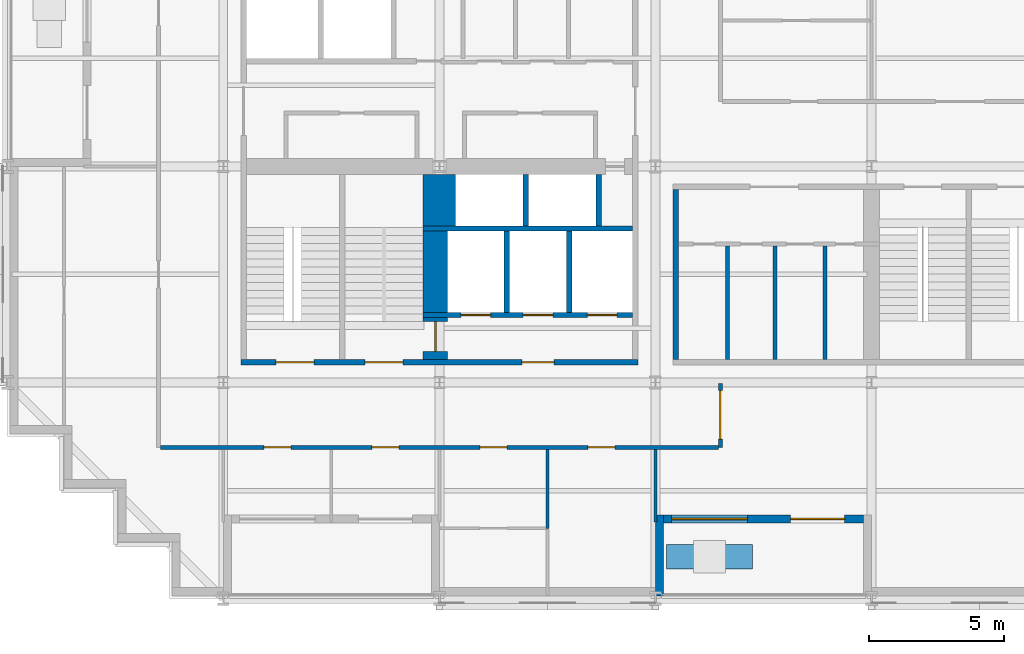
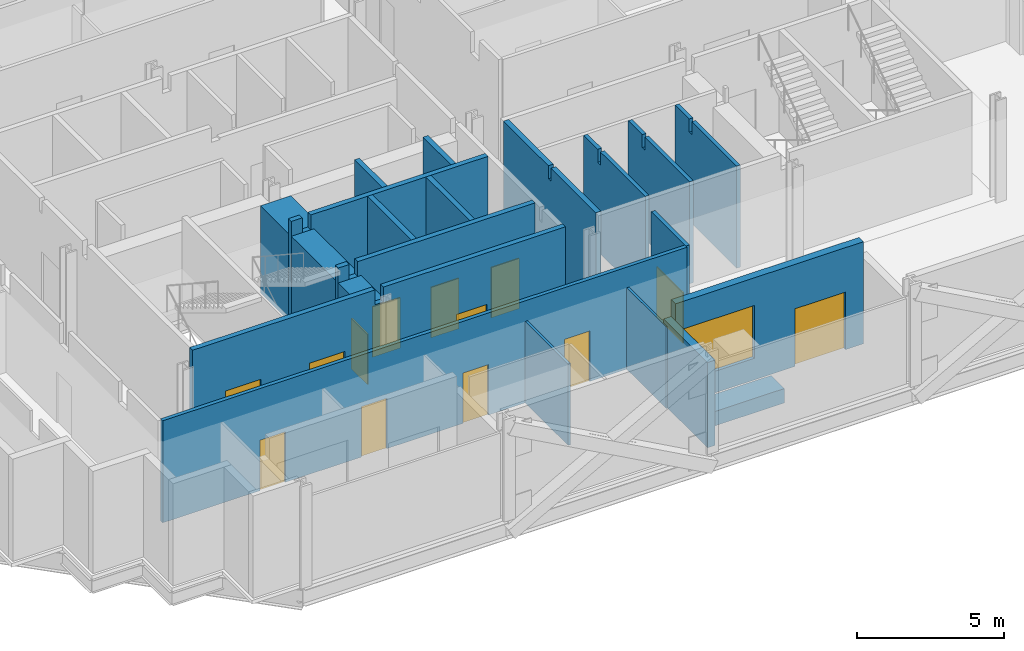
# One storey, part 5 of 14: 21 walls, 13 doors, 1 window, 14 openings.
"""IFC4 building model written with IfcOpenShell, lengths in metres."""

from ifc_helpers import new_model, si_unit, direction, frame, frame_2d, origin, place, context, subcontext, project, spatial, polyline, rectangle, outline, extrude, material, layer, layer_set, type_object, element, fill, save


model = new_model("IFC4")

# Units and contexts
model_context = context("Model", 3, precision=1e-05, world=origin(), true_north=direction((0.0, 1.0)))
body_context = subcontext(model_context, "Body", "Model", "MODEL_VIEW")
ifc_project = project(units=[si_unit("LENGTHUNIT", "METRE"), si_unit("AREAUNIT", "SQUARE_METRE"), si_unit("VOLUMEUNIT", "CUBIC_METRE"), si_unit("PLANEANGLEUNIT", "RADIAN"), si_unit("MASSUNIT", "GRAM", prefix="KILO")], contexts=[model_context])

# Site, building, storey
site_placement = place(None, origin())
site = spatial("IfcSite", under=ifc_project, at=site_placement, CompositionType="ELEMENT")
building_placement = place(site_placement, origin())
building = spatial("IfcBuilding", under=site, at=building_placement, Name="Immortelle Media Tower", CompositionType="ELEMENT")
storey_placement = place(building_placement, frame((0.0, 0.0, 39.199951171875)))
storey = spatial("IfcBuildingStorey", under=building, at=storey_placement, Name="L05", CompositionType="ELEMENT", Elevation=39.199951171875)

# Walls
ifc_material_1 = material(Name="Fire-rated gypsum board", Category="gypsum")
ifc_layer_1 = layer(ifc_material_1, 0.02490234375)
ifc_material_2 = material(Name="Steel ASTM A653 SS Gr 50 stud frame with mineral wool", Category="steel")
ifc_layer_2 = layer(ifc_material_2, 0.10009765625)
ifc_layer_3 = layer(ifc_material_1, 0.02490234375)
ifc_layer_set_1 = layer_set([ifc_layer_1, ifc_layer_2, ifc_layer_3], Name="Steel ASTM A653 SS Gr 50 stud frame with mineral wool")
wall_type_1 = type_object("IfcWallType", Name="Core partition 150", PredefinedType="PARTITIONING", material=ifc_layer_set_1)
for number, where, z_axis, x_axis, name in (
    (1, (26.675048828125, 8.85009765625, 0.0), (0.0, 0.0, 1.0), (0.0, 1.0, 0.0), "Core partition SE"),
    (2, (28.425048828125, 8.85009765625, 0.0), (0.0, 0.0, 1.0), (0.0, 1.0, 0.0), "Core partition SE"),
    (3, (30.27490234375, 8.85009765625, 0.0), (0.0, 0.0, 1.0), (0.0, 1.0, 0.0), "Core partition SE"),
):
    element("IfcWall", number, at=place(storey_placement, frame(where, z_axis=z_axis, x_axis=x_axis)), inside=storey, type_object=wall_type_1, Name=name, PredefinedType="PARTITIONING", context=body_context, shape_type="SweptSolid", body=[
        extrude(outline(polyline([(0.0, 0.0), (4.199951171875, 0.0), (4.199951171875, 4.25), (3.238525390625, 4.25), (3.237548828125, 3.7080078125), (3.0625, 3.7080078125), (3.0615234375, 4.25), (0.0, 4.25), (0.0, 0.0)])), frame((0.0, 0.074951171875, 0.0), z_axis=(0.0, -1.0, 0.0), x_axis=(1.0, 0.0, 0.0)), (0.0, 0.0, 1.0), 0.14990234375),
    ])

# Wall, openings, doors
ifc_layer_4 = layer(ifc_material_1, 0.03759765625)
ifc_layer_5 = layer(ifc_material_2, 0.125)
ifc_layer_6 = layer(ifc_material_1, 0.03759765625)
ifc_layer_set_2 = layer_set([ifc_layer_4, ifc_layer_5, ifc_layer_6], Name="Steel ASTM A653 SS Gr 50 stud frame with mineral wool")
wall_type_2 = type_object("IfcWallType", Name="Core shaft wall 200", PredefinedType="PARTITIONING", material=ifc_layer_set_2)
wall_1_placement = place(storey_placement, frame((15.39990234375, 10.5, 0.0), z_axis=(0.0, 0.0, 1.0), x_axis=(1.0, 0.0, 0.0)))
wall_1 = element("IfcWall", 4, at=wall_1_placement, inside=storey, type_object=wall_type_2, Name="Core shaft wall SW", PredefinedType="PARTITIONING", context=body_context, shape_type="SweptSolid", body=[
    extrude(outline(polyline([(0.0, 0.0), (7.75, 0.0), (7.75, 4.25), (0.76708984375, 4.25), (0.76611328125, 3.632080078125), (0.43408203125, 3.632080078125), (0.43310546875, 4.25), (0.0, 4.25), (0.0, 0.0)])), frame((0.0, 0.10009765625, 0.0), z_axis=(0.0, -1.0, 0.0), x_axis=(1.0, 0.0, 0.0)), (0.0, 0.0, 1.0), 0.199951171875),
])
opening_1_placement = place(wall_1_placement, frame((1.39990234375, 0.0, 0.0)))
opening_1 = element("IfcOpeningElement", 5, at=opening_1_placement, cuts=wall_1, Name="Opening LD", PredefinedType="OPENING", context=body_context, shape_type="SweptSolid", body=[
    extrude(rectangle(XDim=1.10009765625, YDim=2.10009765625, at=frame_2d((0.550048828125, 1.050048828125))), frame((0.0, 0.10986328125, 0.0), z_axis=(0.0, -1.0, 0.0), x_axis=(1.0, 0.0, 0.0)), (0.0, 0.0, 1.0), 0.219970703125),
])
opening_2_placement = place(wall_1_placement, frame((3.699951171875, 0.0, 0.0)))
opening_2 = element("IfcOpeningElement", 6, at=opening_2_placement, cuts=wall_1, Name="Opening LD", PredefinedType="OPENING", context=body_context, shape_type="SweptSolid", body=[
    extrude(rectangle(XDim=1.10009765625, YDim=2.10009765625, at=frame_2d((0.550048828125, 1.050048828125))), frame((0.0, 0.10986328125, 0.0), z_axis=(0.0, -1.0, 0.0), x_axis=(1.0, 0.0, 0.0)), (0.0, 0.0, 1.0), 0.219970703125),
])
opening_3_placement = place(wall_1_placement, frame((6.074951171875, 0.0, 0.0)))
opening_3 = element("IfcOpeningElement", 7, at=opening_3_placement, cuts=wall_1, Name="Opening LD", PredefinedType="OPENING", context=body_context, shape_type="SweptSolid", body=[
    extrude(rectangle(XDim=1.10009765625, YDim=2.10009765625, at=frame_2d((0.550048828125, 1.050048828125))), frame((0.0, 0.10986328125, 0.0), z_axis=(0.0, -1.0, 0.0), x_axis=(1.0, 0.0, 0.0)), (0.0, 0.0, 1.0), 0.219970703125),
])
ifc_material_3 = material(Name="Stainless steel AISI 304", Category="steel")
door_type_1 = type_object("IfcDoorType", Name="Landing door 1100 x 2100", OperationType="SLIDING_TO_LEFT", PredefinedType="NOTDEFINED", material=ifc_material_3)
door_1_placement = place(opening_1_placement, origin())
door_1 = element("IfcDoor", 8, at=door_1_placement, inside=storey, type_object=door_type_1, Name="Landing door FF1 L05", OperationType="SLIDING_TO_LEFT", OverallHeight=2.10009765625, OverallWidth=1.10009765625, PredefinedType="NOTDEFINED", context=body_context, shape_type="SweptSolid", body=[
    extrude(rectangle(XDim=1.10009765625, YDim=2.10009765625, at=frame_2d((0.550048828125, 1.050048828125))), frame((0.0, 0.02490234375, 0.0), z_axis=(0.0, -1.0, 0.0), x_axis=(1.0, 0.0, 0.0)), (0.0, 0.0, 1.0), 0.050048828125),
])
fill(opening_1, door_1)
door_2_placement = place(opening_2_placement, origin())
door_2 = element("IfcDoor", 9, at=door_2_placement, inside=storey, type_object=door_type_1, Name="Landing door FF2 L05", OperationType="SLIDING_TO_LEFT", OverallHeight=2.10009765625, OverallWidth=1.10009765625, PredefinedType="NOTDEFINED", context=body_context, shape_type="SweptSolid", body=[
    extrude(rectangle(XDim=1.10009765625, YDim=2.10009765625, at=frame_2d((0.550048828125, 1.050048828125))), frame((0.0, 0.02490234375, 0.0), z_axis=(0.0, -1.0, 0.0), x_axis=(1.0, 0.0, 0.0)), (0.0, 0.0, 1.0), 0.050048828125),
])
fill(opening_2, door_2)
door_3_placement = place(opening_3_placement, origin())
door_3 = element("IfcDoor", 10, at=door_3_placement, inside=storey, type_object=door_type_1, Name="Landing door FF3 L05", OperationType="SLIDING_TO_LEFT", OverallHeight=2.10009765625, OverallWidth=1.10009765625, PredefinedType="NOTDEFINED", context=body_context, shape_type="SweptSolid", body=[
    extrude(rectangle(XDim=1.10009765625, YDim=2.10009765625, at=frame_2d((0.550048828125, 1.050048828125))), frame((0.0, 0.02490234375, 0.0), z_axis=(0.0, -1.0, 0.0), x_axis=(1.0, 0.0, 0.0)), (0.0, 0.0, 1.0), 0.050048828125),
])
fill(opening_3, door_3)

# Walls
wall_2_placement = place(storey_placement, frame((15.39990234375, 13.699951171875, 0.0), z_axis=(0.0, 0.0, 1.0), x_axis=(1.0, 0.0, 0.0)))
element("IfcWall", 11, at=wall_2_placement, inside=storey, type_object=wall_type_2, Name="Core shaft wall SW", PredefinedType="PARTITIONING", context=body_context, shape_type="SweptSolid", body=[
    extrude(outline(polyline([(0.0, 0.0), (7.75, 0.0), (7.75, 4.25), (0.76708984375, 4.25), (0.76611328125, 3.632080078125), (0.43408203125, 3.632080078125), (0.43310546875, 4.25), (0.0, 4.25), (0.0, 0.0)])), frame((0.0, 0.10009765625, 0.0), z_axis=(0.0, -1.0, 0.0), x_axis=(1.0, 0.0, 0.0)), (0.0, 0.0, 1.0), 0.199951171875),
])
wall_3_placement = place(storey_placement, frame((18.5, 10.60009765625, 0.0), z_axis=(0.0, 0.0, 1.0), x_axis=(0.0, 1.0, 0.0)))
element("IfcWall", 12, at=wall_3_placement, inside=storey, type_object=wall_type_2, Name="Core shaft wall SW", PredefinedType="PARTITIONING", context=body_context, shape_type="SweptSolid", body=[
    extrude(rectangle(XDim=3.0, YDim=0.199951171875, at=frame_2d((1.5, 0.0))), origin(), (0.0, 0.0, 1.0), 4.25),
])
wall_4_placement = place(storey_placement, frame((19.199951171875, 13.800048828125, 0.0), z_axis=(0.0, 0.0, 1.0), x_axis=(0.0, 1.0, 0.0)))
element("IfcWall", 13, at=wall_4_placement, inside=storey, type_object=wall_type_2, Name="Core shaft wall SW", PredefinedType="PARTITIONING", context=body_context, shape_type="SweptSolid", body=[
    extrude(rectangle(XDim=1.89990234375, YDim=0.199951171875, at=frame_2d((0.949951171875, 0.0))), origin(), (0.0, 0.0, 1.0), 4.25),
])
wall_5_placement = place(storey_placement, frame((20.800048828125, 10.60009765625, 0.0), z_axis=(0.0, 0.0, 1.0), x_axis=(0.0, 1.0, 0.0)))
element("IfcWall", 14, at=wall_5_placement, inside=storey, type_object=wall_type_2, Name="Core shaft wall SW", PredefinedType="PARTITIONING", context=body_context, shape_type="SweptSolid", body=[
    extrude(rectangle(XDim=3.0, YDim=0.199951171875, at=frame_2d((1.5, 0.0))), origin(), (0.0, 0.0, 1.0), 4.25),
])
wall_6_placement = place(storey_placement, frame((21.89990234375, 13.800048828125, 0.0), z_axis=(0.0, 0.0, 1.0), x_axis=(0.0, 1.0, 0.0)))
element("IfcWall", 15, at=wall_6_placement, inside=storey, type_object=wall_type_2, Name="Core shaft wall SW", PredefinedType="PARTITIONING", context=body_context, shape_type="SweptSolid", body=[
    extrude(rectangle(XDim=1.89990234375, YDim=0.199951171875, at=frame_2d((0.949951171875, 0.0))), origin(), (0.0, 0.0, 1.0), 4.25),
])
wall_7_placement = place(storey_placement, frame((24.75, 8.85009765625, 0.0), z_axis=(0.0, 0.0, 1.0), x_axis=(0.0, 1.0, 0.0)))
element("IfcWall", 16, at=wall_7_placement, inside=storey, type_object=wall_type_2, Name="Core shaft wall SE", PredefinedType="PARTITIONING", context=body_context, shape_type="SweptSolid", body=[
    extrude(outline(polyline([(0.0, 0.0), (6.2998046875, 0.0), (6.300048828125, 4.25), (3.238525390625, 4.25), (3.237548828125, 3.7080078125), (3.0625, 3.7080078125), (3.0615234375, 4.25), (0.0, 4.25), (0.0, 0.0)])), frame((0.0, 0.10009765625, 0.0), z_axis=(0.0, -1.0, 0.0), x_axis=(1.0, 0.0, 0.0)), (0.0, 0.0, 1.0), 0.199951171875),
])

# Wall, openings, doors
ifc_layer_7 = layer(ifc_material_1, 0.012451171875)
ifc_layer_8 = layer(ifc_material_2, 0.125)
ifc_layer_9 = layer(ifc_material_1, 0.012451171875)
ifc_layer_set_3 = layer_set([ifc_layer_7, ifc_layer_8, ifc_layer_9], Name="Steel ASTM A653 SS Gr 50 stud frame with mineral wool")
wall_type_3 = type_object("IfcWallType", Name="Corridor wall 150", PredefinedType="PARTITIONING", material=ifc_layer_set_3)
wall_8_placement = place(storey_placement, frame((5.675048828125, 5.60009765625, 0.0), z_axis=(0.0, 0.0, 1.0), x_axis=(1.0, 0.0, 0.0)))
wall_8 = element("IfcWall", 17, at=wall_8_placement, inside=storey, type_object=wall_type_3, Name="Partition L05-008", PredefinedType="PARTITIONING", context=body_context, shape_type="SweptSolid", body=[
    extrude(rectangle(XDim=20.64990234375, YDim=0.14990234375, at=frame_2d((10.324951171875, 0.0))), origin(), (0.0, 0.0, 1.0), 4.25),
])
opening_4_placement = place(wall_8_placement, frame((12.824951171875, 0.0, 0.0), z_axis=(0.0, 0.0, 1.0), x_axis=(-1.0, 0.0, 0.0)))
opening_4 = element("IfcOpeningElement", 18, at=opening_4_placement, cuts=wall_8, Name="Opening N1-F001", PredefinedType="OPENING", context=body_context, shape_type="SweptSolid", body=[
    extrude(rectangle(XDim=1.0, YDim=2.10009765625, at=frame_2d((0.5, 1.050048828125))), frame((0.0, 0.0849609375, 0.0), z_axis=(0.0, -1.0, 0.0), x_axis=(1.0, 0.0, 0.0)), (0.0, 0.0, 1.0), 0.169921875),
])
opening_5_placement = place(wall_8_placement, frame((16.824951171875, 0.0, 0.0), z_axis=(0.0, 0.0, 1.0), x_axis=(-1.0, 0.0, 0.0)))
opening_5 = element("IfcOpeningElement", 19, at=opening_5_placement, cuts=wall_8, Name="Opening N1-F003", PredefinedType="OPENING", context=body_context, shape_type="SweptSolid", body=[
    extrude(rectangle(XDim=1.0, YDim=2.10009765625, at=frame_2d((0.5, 1.050048828125))), frame((0.0, 0.0849609375, 0.0), z_axis=(0.0, -1.0, 0.0), x_axis=(1.0, 0.0, 0.0)), (0.0, 0.0, 1.0), 0.169921875),
])
opening_6_placement = place(wall_8_placement, frame((4.824951171875, 0.0, 0.0), z_axis=(0.0, 0.0, 1.0), x_axis=(-1.0, 0.0, 0.0)))
opening_6 = element("IfcOpeningElement", 20, at=opening_6_placement, cuts=wall_8, Name="Opening N1-F004", PredefinedType="OPENING", context=body_context, shape_type="SweptSolid", body=[
    extrude(rectangle(XDim=1.0, YDim=2.10009765625, at=frame_2d((0.5, 1.050048828125))), frame((0.0, 0.0849609375, 0.0), z_axis=(0.0, -1.0, 0.0), x_axis=(1.0, 0.0, 0.0)), (0.0, 0.0, 1.0), 0.169921875),
])
opening_7_placement = place(wall_8_placement, frame((8.824951171875, 0.0, 0.0), z_axis=(0.0, 0.0, 1.0), x_axis=(-1.0, 0.0, 0.0)))
opening_7 = element("IfcOpeningElement", 21, at=opening_7_placement, cuts=wall_8, Name="Opening N1-F005", PredefinedType="OPENING", context=body_context, shape_type="SweptSolid", body=[
    extrude(rectangle(XDim=1.0, YDim=2.10009765625, at=frame_2d((0.5, 1.050048828125))), frame((0.0, 0.0849609375, 0.0), z_axis=(0.0, -1.0, 0.0), x_axis=(1.0, 0.0, 0.0)), (0.0, 0.0, 1.0), 0.169921875),
])
ifc_material_4 = material(Name="Timber veneered door leaf, galvanised steel frame ASTM A653", Category="steel")
door_type_2 = type_object("IfcDoorType", Name="Room door 1000 x 2100", OperationType="NOTDEFINED", PredefinedType="DOOR", material=ifc_material_4)
door_4_placement = place(opening_4_placement, origin())
door_4 = element("IfcDoor", 22, at=door_4_placement, inside=storey, type_object=door_type_2, Name="Door N1-F001", OperationType="SINGLE_SWING_LEFT", OverallHeight=2.10009765625, OverallWidth=1.0, PredefinedType="DOOR", context=body_context, shape_type="SweptSolid", body=[
    extrude(rectangle(XDim=1.0, YDim=2.10009765625, at=frame_2d((0.5, 1.050048828125))), frame((0.0, 0.02490234375, 0.0), z_axis=(0.0, -1.0, 0.0), x_axis=(1.0, 0.0, 0.0)), (0.0, 0.0, 1.0), 0.050048828125),
])
fill(opening_4, door_4)
door_5_placement = place(opening_5_placement, origin())
door_5 = element("IfcDoor", 23, at=door_5_placement, inside=storey, type_object=door_type_2, Name="Door N1-F003", OperationType="SINGLE_SWING_RIGHT", OverallHeight=2.10009765625, OverallWidth=1.0, PredefinedType="DOOR", context=body_context, shape_type="SweptSolid", body=[
    extrude(rectangle(XDim=1.0, YDim=2.10009765625, at=frame_2d((0.5, 1.050048828125))), frame((0.0, 0.02490234375, 0.0), z_axis=(0.0, -1.0, 0.0), x_axis=(1.0, 0.0, 0.0)), (0.0, 0.0, 1.0), 0.050048828125),
])
fill(opening_5, door_5)
door_6_placement = place(opening_6_placement, origin())
door_6 = element("IfcDoor", 24, at=door_6_placement, inside=storey, type_object=door_type_2, Name="Door N1-F004", OperationType="SINGLE_SWING_RIGHT", OverallHeight=2.10009765625, OverallWidth=1.0, PredefinedType="DOOR", context=body_context, shape_type="SweptSolid", body=[
    extrude(rectangle(XDim=1.0, YDim=2.10009765625, at=frame_2d((0.5, 1.050048828125))), frame((0.0, 0.02490234375, 0.0), z_axis=(0.0, -1.0, 0.0), x_axis=(1.0, 0.0, 0.0)), (0.0, 0.0, 1.0), 0.050048828125),
])
fill(opening_6, door_6)
door_7_placement = place(opening_7_placement, origin())
door_7 = element("IfcDoor", 25, at=door_7_placement, inside=storey, type_object=door_type_2, Name="Door N1-F005", OperationType="SINGLE_SWING_RIGHT", OverallHeight=2.10009765625, OverallWidth=1.0, PredefinedType="DOOR", context=body_context, shape_type="SweptSolid", body=[
    extrude(rectangle(XDim=1.0, YDim=2.10009765625, at=frame_2d((0.5, 1.050048828125))), frame((0.0, 0.02490234375, 0.0), z_axis=(0.0, -1.0, 0.0), x_axis=(1.0, 0.0, 0.0)), (0.0, 0.0, 1.0), 0.050048828125),
])
fill(opening_7, door_7)

# Wall, opening, door
wall_9_placement = place(storey_placement, frame((26.39990234375, 5.60009765625, 0.0), z_axis=(0.0, 0.0, 1.0), x_axis=(0.0, 1.0, 0.0)))
wall_9 = element("IfcWall", 26, at=wall_9_placement, inside=storey, type_object=wall_type_3, Name="Partition L05-010", PredefinedType="PARTITIONING", context=body_context, shape_type="SweptSolid", body=[
    extrude(rectangle(XDim=2.369873046875, YDim=0.14990234375, at=frame_2d((1.18505859375, 0.0))), origin(), (0.0, 0.0, 1.0), 4.25),
])
opening_8_placement = place(wall_9_placement, frame((0.300048828125, 0.0, 0.0)))
opening_8 = element("IfcOpeningElement", 27, at=opening_8_placement, cuts=wall_9, Name="Opening N1-F006", PredefinedType="OPENING", context=body_context, shape_type="SweptSolid", body=[
    extrude(rectangle(XDim=1.800048828125, YDim=2.10009765625, at=frame_2d((0.89990234375, 1.050048828125))), frame((0.0, 0.0849609375, 0.0), z_axis=(0.0, -1.0, 0.0), x_axis=(1.0, 0.0, 0.0)), (0.0, 0.0, 1.0), 0.169921875),
])
door_type_3 = type_object("IfcDoorType", Name="Room door 1800 x 2100", OperationType="DOUBLE_DOOR_SINGLE_SWING", PredefinedType="DOOR", material=ifc_material_4)
door_8_placement = place(opening_8_placement, origin())
door_8 = element("IfcDoor", 28, at=door_8_placement, inside=storey, type_object=door_type_3, Name="Door N1-F006", OperationType="DOUBLE_DOOR_SINGLE_SWING", OverallHeight=2.10009765625, OverallWidth=1.800048828125, PredefinedType="DOOR", context=body_context, shape_type="SweptSolid", body=[
    extrude(rectangle(XDim=1.800048828125, YDim=2.10009765625, at=frame_2d((0.89990234375, 1.050048828125))), frame((0.0, 0.02490234375, 0.0), z_axis=(0.0, -1.0, 0.0), x_axis=(1.0, 0.0, 0.0)), (0.0, 0.0, 1.0), 0.050048828125),
])
fill(opening_8, door_8)

# Wall, openings, door, window
ifc_material_5 = material(Name="Pale aluminium cladding panel", Category="aluminium")
ifc_layer_10 = layer(ifc_material_5, 0.030029296875)
ifc_layer_11 = layer(ifc_material_2, 0.257568359375)
ifc_material_6 = material(Name="Moisture-resistant gypsum board", Category="gypsum")
ifc_layer_12 = layer(ifc_material_6, 0.012451171875)
ifc_layer_set_4 = layer_set([ifc_layer_10, ifc_layer_11, ifc_layer_12], Name="Steel ASTM A653 SS Gr 50 stud frame with mineral wool")
wall_type_4 = type_object("IfcWallType", Name="Facade wall 300", PredefinedType="SOLIDWALL", material=ifc_layer_set_4)
wall_10_placement = place(storey_placement, frame((24.300048828125, 2.949951171875, 0.0), z_axis=(0.0, 0.0, 1.0), x_axis=(1.0, 0.0, 0.0)))
wall_10 = element("IfcWall", 29, at=wall_10_placement, inside=storey, type_object=wall_type_4, Name="Loggia wall L05 S7", PredefinedType="SOLIDWALL", context=body_context, shape_type="SweptSolid", body=[
    extrude(rectangle(XDim=7.39990234375, YDim=0.300048828125, at=frame_2d((3.699951171875, 0.0))), origin(), (0.0, 0.0, 1.0), 4.25),
])
opening_9_placement = place(wall_10_placement, frame((0.300048828125, 0.0, 0.89990234375)))
opening_9 = element("IfcOpeningElement", 30, at=opening_9_placement, cuts=wall_10, Name="Opening W1", PredefinedType="OPENING", context=body_context, shape_type="SweptSolid", body=[
    extrude(rectangle(XDim=2.800048828125, YDim=2.199951171875, at=frame_2d((1.39990234375, 1.10009765625))), frame((0.0, 0.159912109375, 0.0), z_axis=(0.0, -1.0, 0.0), x_axis=(1.0, 0.0, 0.0)), (0.0, 0.0, 1.0), 0.320068359375),
])
opening_10_placement = place(wall_10_placement, frame((4.699951171875, 0.0, 0.0)))
opening_10 = element("IfcOpeningElement", 31, at=opening_10_placement, cuts=wall_10, Name="Opening N1-E004", PredefinedType="OPENING", context=body_context, shape_type="SweptSolid", body=[
    extrude(rectangle(XDim=2.0, YDim=2.39990234375, at=frame_2d((1.0, 1.199951171875))), frame((0.0, 0.159912109375, 0.0), z_axis=(0.0, -1.0, 0.0), x_axis=(1.0, 0.0, 0.0)), (0.0, 0.0, 1.0), 0.320068359375),
])
ifc_material_7 = material(Name="Aluminium frame, glazed leaves", Category="aluminium")
door_type_4 = type_object("IfcDoorType", Name="Loggia door 2000 x 2400", OperationType="DOUBLE_DOOR_SINGLE_SWING", PredefinedType="DOOR", material=ifc_material_7)
door_9_placement = place(opening_10_placement, origin())
door_9 = element("IfcDoor", 32, at=door_9_placement, inside=storey, type_object=door_type_4, Name="Door N1-E004", OperationType="DOUBLE_DOOR_SINGLE_SWING", OverallHeight=2.39990234375, OverallWidth=2.0, PredefinedType="DOOR", context=body_context, shape_type="SweptSolid", body=[
    extrude(rectangle(XDim=2.0, YDim=2.39990234375, at=frame_2d((1.0, 1.199951171875))), frame((0.0, 0.02490234375, 0.0), z_axis=(0.0, -1.0, 0.0), x_axis=(1.0, 0.0, 0.0)), (0.0, 0.0, 1.0), 0.050048828125),
])
fill(opening_10, door_9)
ifc_material_8 = material(Name="Aluminium frame", Category="aluminium")
window_type = type_object("IfcWindowType", Name="Window 2800 x 2200", PartitioningType="SINGLE_PANEL", PredefinedType="WINDOW", material=ifc_material_8)
window_placement = place(opening_9_placement, origin())
window = element("IfcWindow", 33, at=window_placement, inside=storey, type_object=window_type, Name="Window L05 L05-R7-B2", OverallHeight=2.199951171875, OverallWidth=2.800048828125, PartitioningType="SINGLE_PANEL", PredefinedType="WINDOW", context=body_context, shape_type="SweptSolid", body=[
    extrude(rectangle(XDim=2.800048828125, YDim=2.199951171875, at=frame_2d((1.39990234375, 1.10009765625))), frame((0.0, 0.030029296875, 0.0), z_axis=(0.0, -1.0, 0.0), x_axis=(1.0, 0.0, 0.0)), (0.0, 0.0, 1.0), 0.06005859375),
])
fill(opening_9, window)

# Walls
wall_11_placement = place(storey_placement, frame((24.14990234375, 0.10009765625, 0.0), z_axis=(0.0, 0.0, 1.0), x_axis=(0.0, 1.0, 0.0)))
element("IfcWall", 34, at=wall_11_placement, inside=storey, type_object=wall_type_4, Name="Loggia cheek wall L05 S", PredefinedType="SOLIDWALL", context=body_context, shape_type="SweptSolid", body=[
    extrude(rectangle(XDim=3.0, YDim=0.300048828125, at=frame_2d((1.5, 0.0))), origin(), (0.0, 0.0, 1.0), 3.552978515625),
])
ifc_material_9 = material(Name="Gypsum board", Category="gypsum")
ifc_layer_13 = layer(ifc_material_9, 0.012451171875)
ifc_layer_14 = layer(ifc_material_2, 0.074951171875)
ifc_layer_15 = layer(ifc_material_9, 0.012451171875)
ifc_layer_set_5 = layer_set([ifc_layer_13, ifc_layer_14, ifc_layer_15], Name="Steel ASTM A653 SS Gr 50 stud frame with mineral wool")
wall_type_5 = type_object("IfcWallType", Name="Partition 100", PredefinedType="PARTITIONING", material=ifc_layer_set_5)
wall_12_placement = place(storey_placement, frame((20.0, 2.60009765625, 0.0), z_axis=(0.0, 0.0, 1.0), x_axis=(0.0, 1.0, 0.0)))
element("IfcWall", 35, at=wall_12_placement, inside=storey, type_object=wall_type_5, Name="Partition L05-003", PredefinedType="PARTITIONING", context=body_context, shape_type="SweptSolid", body=[
    extrude(rectangle(XDim=2.9248046875, YDim=0.10009765625, at=frame_2d((1.46240234375, 0.0))), origin(), (0.0, 0.0, 1.0), 3.39111328125),
])
wall_13_placement = place(storey_placement, frame((24.0, 2.830078125, 0.0), z_axis=(0.0, 0.0, 1.0), x_axis=(0.0, 1.0, 0.0)))
element("IfcWall", 36, at=wall_13_placement, inside=storey, type_object=wall_type_5, Name="Partition L05-007", PredefinedType="PARTITIONING", context=body_context, shape_type="SweptSolid", body=[
    extrude(rectangle(XDim=2.69482421875, YDim=0.10009765625, at=frame_2d((1.347412109375, 0.0))), origin(), (0.0, 0.0, 1.0), 3.39111328125),
])
ifc_layer_16 = layer(ifc_material_5, 0.0029296875)
ifc_material_10 = material(Name="Steel ASTM A572 Gr 50 planter shell", Category="steel")
ifc_layer_17 = layer(ifc_material_10, 0.011962890625)
ifc_material_11 = material(Name="Planting substrate", Category="soil")
ifc_layer_18 = layer(ifc_material_11, 0.873046875)
ifc_layer_19 = layer(ifc_material_10, 0.011962890625)
ifc_layer_set_6 = layer_set([ifc_layer_16, ifc_layer_17, ifc_layer_18, ifc_layer_19], Name="Steel ASTM A572 Gr 50 planter shell")
wall_type_6 = type_object("IfcWallType", Name="Planter wall 900", PredefinedType="SOLIDWALL", material=ifc_layer_set_6)
wall_14_placement = place(storey_placement, frame((24.39990234375, 1.550048828125, 0.0), z_axis=(0.0, 0.0, 1.0), x_axis=(1.0, 0.0, 0.0)))
element("IfcWall", 37, at=wall_14_placement, inside=storey, type_object=wall_type_6, Name="Planter L05 S2", PredefinedType="SOLIDWALL", context=body_context, shape_type="SweptSolid", body=[
    extrude(rectangle(XDim=3.2001953125, YDim=0.89990234375, at=frame_2d((1.60009765625, 0.0))), origin(), (0.0, 0.0, 1.0), 0.60009765625),
])
ifc_material_12 = material(Name="Concrete C60", Category="concrete")
ifc_layer_20 = layer(ifc_material_12, 1.199951171875)
ifc_layer_set_7 = layer_set([ifc_layer_20], Name="Concrete C60")
wall_type_7 = type_object("IfcWallType", Name="Stair shaft wall 1200", PredefinedType="PARTITIONING", material=ifc_layer_set_7)
wall_15_placement = place(storey_placement, frame((16.0, 13.800048828125, 0.0), z_axis=(0.0, 0.0, 1.0), x_axis=(0.0, 1.0, 0.0)))
element("IfcWall", 38, at=wall_15_placement, inside=storey, type_object=wall_type_7, Name="Stair shaft wall SW", PredefinedType="PARTITIONING", context=body_context, shape_type="SweptSolid", body=[
    extrude(rectangle(XDim=1.89990234375, YDim=1.199951171875, at=frame_2d((0.949951171875, 0.0))), origin(), (0.0, 0.0, 1.0), 3.632080078125),
])

# Wall, openings, doors
ifc_layer_21 = layer(ifc_material_12, 0.199951171875)
ifc_layer_set_8 = layer_set([ifc_layer_21], Name="Concrete C60")
wall_type_8 = type_object("IfcWallType", Name="Stair shaft wall 200", PredefinedType="PARTITIONING", material=ifc_layer_set_8)
wall_16_placement = place(storey_placement, frame((8.64990234375, 8.75, 0.0), z_axis=(0.0, 0.0, 1.0), x_axis=(1.0, 0.0, 0.0)))
wall_16 = element("IfcWall", 39, at=wall_16_placement, inside=storey, type_object=wall_type_8, Name="Stair shaft wall SW", PredefinedType="PARTITIONING", context=body_context, shape_type="SweptSolid", body=[
    extrude(outline(polyline([(0.0, 0.0), (14.7001953125, 0.0), (14.699951171875, 4.25), (7.51708984375, 4.25), (7.51611328125, 3.632080078125), (7.18408203125, 3.632080078125), (7.18310546875, 4.25), (0.0, 4.25), (0.0, 0.0)])), frame((0.0, 0.10009765625, 0.0), z_axis=(0.0, -1.0, 0.0), x_axis=(1.0, 0.0, 0.0)), (0.0, 0.0, 1.0), 0.199951171875),
])
opening_11_placement = place(wall_16_placement, frame((1.300048828125, 0.0, 0.0)))
opening_11 = element("IfcOpeningElement", 40, at=opening_11_placement, cuts=wall_16, Name="Opening N1-K002", PredefinedType="OPENING", context=body_context, shape_type="SweptSolid", body=[
    extrude(rectangle(XDim=1.39990234375, YDim=2.10009765625, at=frame_2d((0.699951171875, 1.050048828125))), frame((0.0, 0.10986328125, 0.0), z_axis=(0.0, -1.0, 0.0), x_axis=(1.0, 0.0, 0.0)), (0.0, 0.0, 1.0), 0.219970703125),
])
opening_12_placement = place(wall_16_placement, frame((4.60009765625, 0.0, 0.0)))
opening_12 = element("IfcOpeningElement", 41, at=opening_12_placement, cuts=wall_16, Name="Opening N1-K004", PredefinedType="OPENING", context=body_context, shape_type="SweptSolid", body=[
    extrude(rectangle(XDim=1.39990234375, YDim=2.10009765625, at=frame_2d((0.699951171875, 1.050048828125))), frame((0.0, 0.10986328125, 0.0), z_axis=(0.0, -1.0, 0.0), x_axis=(1.0, 0.0, 0.0)), (0.0, 0.0, 1.0), 0.219970703125),
])
opening_13_placement = place(wall_16_placement, frame((10.39990234375, 0.0, 0.0)))
opening_13 = element("IfcOpeningElement", 42, at=opening_13_placement, cuts=wall_16, Name="Opening N1-K009", PredefinedType="OPENING", context=body_context, shape_type="SweptSolid", body=[
    extrude(rectangle(XDim=1.199951171875, YDim=2.10009765625, at=frame_2d((0.60009765625, 1.050048828125))), frame((0.0, 0.10986328125, 0.0), z_axis=(0.0, -1.0, 0.0), x_axis=(1.0, 0.0, 0.0)), (0.0, 0.0, 1.0), 0.219970703125),
])
ifc_material_13 = material(Name="Galvanised steel door leaf and frame ASTM A653", Category="steel")
door_type_5 = type_object("IfcDoorType", Name="Fire-fighting lobby door 1200 x 2100", OperationType="NOTDEFINED", PredefinedType="NOTDEFINED", material=ifc_material_13)
door_10_placement = place(opening_13_placement, origin())
door_10 = element("IfcDoor", 43, at=door_10_placement, inside=storey, type_object=door_type_5, Name="Fire-fighting lobby N1-K009", OperationType="SINGLE_SWING_RIGHT", OverallHeight=2.10009765625, OverallWidth=1.199951171875, PredefinedType="NOTDEFINED", context=body_context, shape_type="SweptSolid", body=[
    extrude(rectangle(XDim=1.199951171875, YDim=2.10009765625, at=frame_2d((0.60009765625, 1.050048828125))), frame((0.0, 0.02490234375, 0.0), z_axis=(0.0, -1.0, 0.0), x_axis=(1.0, 0.0, 0.0)), (0.0, 0.0, 1.0), 0.050048828125),
])
fill(opening_13, door_10)
door_type_6 = type_object("IfcDoorType", Name="Stair door 1400 x 2100", OperationType="DOUBLE_DOOR_SINGLE_SWING", PredefinedType="NOTDEFINED", material=ifc_material_13)
door_11_placement = place(opening_11_placement, origin())
door_11 = element("IfcDoor", 44, at=door_11_placement, inside=storey, type_object=door_type_6, Name="Stair N1-K002", OperationType="DOUBLE_DOOR_SINGLE_SWING", OverallHeight=2.10009765625, OverallWidth=1.39990234375, PredefinedType="NOTDEFINED", context=body_context, shape_type="SweptSolid", body=[
    extrude(rectangle(XDim=1.39990234375, YDim=2.10009765625, at=frame_2d((0.699951171875, 1.050048828125))), frame((0.0, 0.02490234375, 0.0), z_axis=(0.0, -1.0, 0.0), x_axis=(1.0, 0.0, 0.0)), (0.0, 0.0, 1.0), 0.050048828125),
])
fill(opening_11, door_11)
door_12_placement = place(opening_12_placement, origin())
door_12 = element("IfcDoor", 45, at=door_12_placement, inside=storey, type_object=door_type_6, Name="Stair N1-K004", OperationType="DOUBLE_DOOR_SINGLE_SWING", OverallHeight=2.10009765625, OverallWidth=1.39990234375, PredefinedType="NOTDEFINED", context=body_context, shape_type="SweptSolid", body=[
    extrude(rectangle(XDim=1.39990234375, YDim=2.10009765625, at=frame_2d((0.699951171875, 1.050048828125))), frame((0.0, 0.02490234375, 0.0), z_axis=(0.0, -1.0, 0.0), x_axis=(1.0, 0.0, 0.0)), (0.0, 0.0, 1.0), 0.050048828125),
])
fill(opening_12, door_12)

# Wall, opening, door
ifc_layer_22 = layer(ifc_material_12, 0.89990234375)
ifc_layer_set_9 = layer_set([ifc_layer_22], Name="Concrete C60")
wall_type_9 = type_object("IfcWallType", Name="Stair shaft wall 900", PredefinedType="PARTITIONING", material=ifc_layer_set_9)
wall_17_placement = place(storey_placement, frame((15.85009765625, 8.85009765625, 0.0), z_axis=(0.0, 0.0, 1.0), x_axis=(0.0, 1.0, 0.0)))
wall_17 = element("IfcWall", 46, at=wall_17_placement, inside=storey, type_object=wall_type_9, Name="Stair shaft wall SW", PredefinedType="PARTITIONING", context=body_context, shape_type="SweptSolid", body=[
    extrude(rectangle(XDim=1.5498046875, YDim=0.89990234375, at=frame_2d((0.77490234375, 0.0))), origin(), (0.0, 0.0, 1.0), 3.632080078125),
])
opening_14_placement = place(wall_17_placement, frame((0.300048828125, 0.0, 0.0)))
opening_14 = element("IfcOpeningElement", 47, at=opening_14_placement, cuts=wall_17, Name="Opening N1-K005", PredefinedType="OPENING", context=body_context, shape_type="SweptSolid", body=[
    extrude(rectangle(XDim=1.10009765625, YDim=2.10009765625, at=frame_2d((0.550048828125, 1.050048828125))), frame((0.0, 0.4599609375, 0.0), z_axis=(0.0, -1.0, 0.0), x_axis=(1.0, 0.0, 0.0)), (0.0, 0.0, 1.0), 0.919921875),
])
door_type_7 = type_object("IfcDoorType", Name="Stair lobby door 1100 x 2100", OperationType="NOTDEFINED", PredefinedType="NOTDEFINED", material=ifc_material_13)
door_13_placement = place(opening_14_placement, origin())
door_13 = element("IfcDoor", 48, at=door_13_placement, inside=storey, type_object=door_type_7, Name="Stair lobby N1-K005", OperationType="SINGLE_SWING_LEFT", OverallHeight=2.10009765625, OverallWidth=1.10009765625, PredefinedType="NOTDEFINED", context=body_context, shape_type="SweptSolid", body=[
    extrude(rectangle(XDim=1.10009765625, YDim=2.10009765625, at=frame_2d((0.550048828125, 1.050048828125))), frame((0.0, 0.02490234375, 0.0), z_axis=(0.0, -1.0, 0.0), x_axis=(1.0, 0.0, 0.0)), (0.0, 0.0, 1.0), 0.050048828125),
])
fill(opening_14, door_13)

# Wall
wall_18_placement = place(storey_placement, frame((15.85009765625, 10.60009765625, 0.0), z_axis=(0.0, 0.0, 1.0), x_axis=(0.0, 1.0, 0.0)))
element("IfcWall", 49, at=wall_18_placement, inside=storey, type_object=wall_type_9, Name="Stair shaft wall SW", PredefinedType="PARTITIONING", context=body_context, shape_type="SweptSolid", body=[
    extrude(rectangle(XDim=3.0, YDim=0.89990234375, at=frame_2d((1.5, 0.0))), origin(), (0.0, 0.0, 1.0), 3.632080078125),
])

save(model, "model.ifc")
